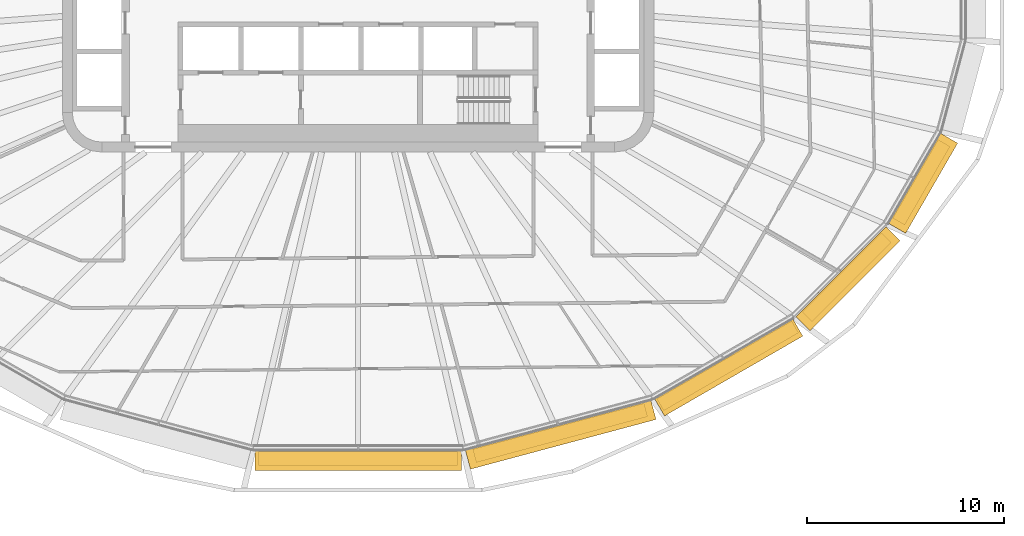
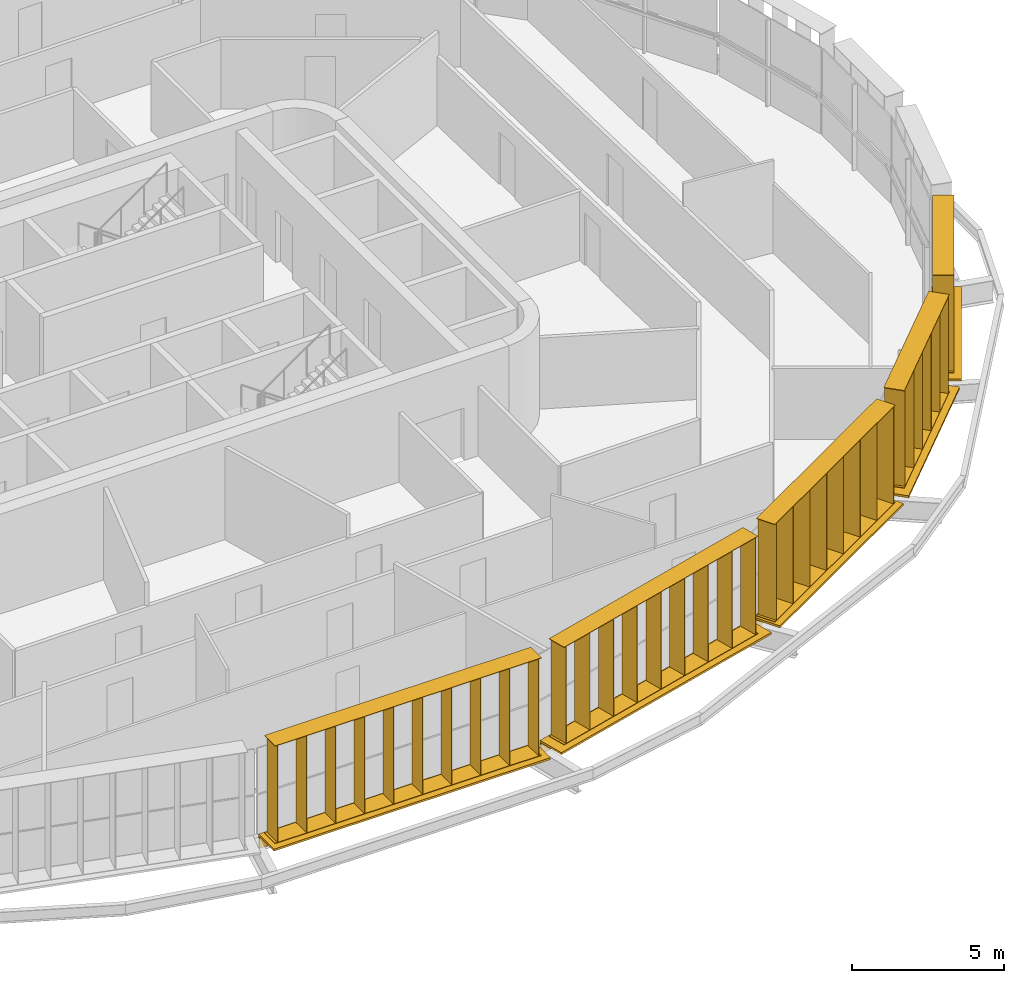
# One storey, part 19 of 21: 10 shading devices.
"""IFC4 building model written with IfcOpenShell, lengths in metres."""

from ifc_helpers import new_model, si_unit, direction, frame, origin, origin_2d, place, context, subcontext, project, spatial, rectangle, extrude, material, type_object, element, save


model = new_model("IFC4")

# Units and contexts
model_context = context("Model", 3, precision=1e-05, world=origin(), true_north=direction((0.0, 1.0)))
body_context = subcontext(model_context, "Body", "Model", "MODEL_VIEW")
ifc_project = project(units=[si_unit("LENGTHUNIT", "METRE"), si_unit("AREAUNIT", "SQUARE_METRE"), si_unit("VOLUMEUNIT", "CUBIC_METRE"), si_unit("PLANEANGLEUNIT", "RADIAN"), si_unit("MASSUNIT", "GRAM", prefix="KILO")], contexts=[model_context])

# Site, building, storey
site_placement = place(None, origin())
site = spatial("IfcSite", under=ifc_project, at=site_placement, CompositionType="ELEMENT")
building_placement = place(site_placement, origin())
building = spatial("IfcBuilding", under=site, at=building_placement, Name="Sahrelin Media Tower", CompositionType="ELEMENT")
storey_placement = place(building_placement, frame((0.0, 0.0, 193.60009765625)))
storey = spatial("IfcBuildingStorey", under=building, at=storey_placement, Name="L41", CompositionType="ELEMENT", Elevation=193.60009765625)

# Shading devices
ifc_material = material(Name="Champagne anodised aluminium 6063-T6", Category="aluminium")
shading_device_type_1 = type_object("IfcShadingDeviceType", Name="Fin cassette", PredefinedType="USERDEFINED", material=ifc_material)
placement_1 = place(storey_placement, frame((0.0, -23.12890625, 0.0), z_axis=(0.0, 0.0, 1.0), x_axis=(-1.0, 0.0, 0.0)))
element("IfcShadingDevice", 1, at=placement_1, inside=storey, type_object=shading_device_type_1, Name="L41:FIN:L41-18", ObjectType="FIN", PredefinedType="USERDEFINED", context=body_context, shape_type="SweptSolid", body=[
    extrude(rectangle(XDim=10.10009765625, YDim=0.699951171875, at=origin_2d()), frame((0.0, 0.419921875, 0.0)), (0.0, 0.0, 1.0), 0.02001953125),
    extrude(rectangle(XDim=10.10009765625, YDim=0.699951171875, at=origin_2d()), frame((0.0, 0.419921875, 3.89990234375)), (0.0, 0.0, 1.0), 0.02001953125),
    extrude(rectangle(XDim=0.02001953125, YDim=0.699951171875, at=origin_2d()), frame((-4.949951171875, 0.419921875, 0.010009765625), z_axis=(0.0, 0.0, 1.0), x_axis=(1.0, 0.0, 0.0)), (0.0, 0.0, 1.0), 3.89990234375),
    extrude(rectangle(XDim=0.02001953125, YDim=0.699951171875, at=origin_2d()), frame((-3.85009765625, 0.419921875, 0.010009765625), z_axis=(0.0, 0.0, 1.0), x_axis=(1.0, 0.0, 0.0)), (0.0, 0.0, 1.0), 3.89990234375),
    extrude(rectangle(XDim=0.02001953125, YDim=0.699951171875, at=origin_2d()), frame((-2.75, 0.419921875, 0.010009765625), z_axis=(0.0, 0.0, 1.0), x_axis=(1.0, 0.0, 0.0)), (0.0, 0.0, 1.0), 3.89990234375),
    extrude(rectangle(XDim=0.02001953125, YDim=0.699951171875, at=origin_2d()), frame((-1.64990234375, 0.419921875, 0.010009765625), z_axis=(0.0, 0.0, 1.0), x_axis=(1.0, 0.0, 0.0)), (0.0, 0.0, 1.0), 3.89990234375),
    extrude(rectangle(XDim=0.02001953125, YDim=0.699951171875, at=origin_2d()), frame((-0.550048828125, 0.419921875, 0.010009765625), z_axis=(0.0, 0.0, 1.0), x_axis=(1.0, 0.0, 0.0)), (0.0, 0.0, 1.0), 3.89990234375),
    extrude(rectangle(XDim=0.02001953125, YDim=0.699951171875, at=origin_2d()), frame((0.550048828125, 0.419921875, 0.010009765625), z_axis=(0.0, 0.0, 1.0), x_axis=(1.0, 0.0, 0.0)), (0.0, 0.0, 1.0), 3.89990234375),
    extrude(rectangle(XDim=0.02001953125, YDim=0.699951171875, at=origin_2d()), frame((1.64990234375, 0.419921875, 0.010009765625), z_axis=(0.0, 0.0, 1.0), x_axis=(1.0, 0.0, 0.0)), (0.0, 0.0, 1.0), 3.89990234375),
    extrude(rectangle(XDim=0.02001953125, YDim=0.699951171875, at=origin_2d()), frame((2.75, 0.419921875, 0.010009765625), z_axis=(0.0, 0.0, 1.0), x_axis=(1.0, 0.0, 0.0)), (0.0, 0.0, 1.0), 3.89990234375),
    extrude(rectangle(XDim=0.02001953125, YDim=0.699951171875, at=origin_2d()), frame((3.85009765625, 0.419921875, 0.010009765625), z_axis=(0.0, 0.0, 1.0), x_axis=(1.0, 0.0, 0.0)), (0.0, 0.0, 1.0), 3.89990234375),
    extrude(rectangle(XDim=0.02001953125, YDim=0.699951171875, at=origin_2d()), frame((4.949951171875, 0.419921875, 0.010009765625), z_axis=(0.0, 0.0, 1.0), x_axis=(1.0, 0.0, 0.0)), (0.0, 0.0, 1.0), 3.89990234375),
])
placement_2 = place(storey_placement, frame((10.143310546875, -21.841796875, 0.0), z_axis=(0.0, 0.0, 1.0), x_axis=(-0.965928857556, -0.258807731996, 0.0)))
element("IfcShadingDevice", 2, at=placement_2, inside=storey, type_object=shading_device_type_1, Name="L41:FIN:L41-19", ObjectType="FIN", PredefinedType="USERDEFINED", context=body_context, shape_type="SweptSolid", body=[
    extrude(rectangle(XDim=9.0, YDim=0.699951171875, at=origin_2d()), frame((0.0, 0.419921875, 0.0)), (0.0, 0.0, 1.0), 0.02001953125),
    extrude(rectangle(XDim=9.0, YDim=0.699951171875, at=origin_2d()), frame((0.0, 0.419921875, 3.89990234375)), (0.0, 0.0, 1.0), 0.02001953125),
    extrude(rectangle(XDim=0.02001953125, YDim=0.699951171875, at=origin_2d()), frame((-4.39990234375, 0.419921875, 0.010009765625), z_axis=(0.0, 0.0, 1.0), x_axis=(1.0, 0.0, 0.0)), (0.0, 0.0, 1.0), 3.89990234375),
    extrude(rectangle(XDim=0.02001953125, YDim=0.699951171875, at=origin_2d()), frame((-3.300048828125, 0.419921875, 0.010009765625), z_axis=(0.0, 0.0, 1.0), x_axis=(1.0, 0.0, 0.0)), (0.0, 0.0, 1.0), 3.89990234375),
    extrude(rectangle(XDim=0.02001953125, YDim=0.699951171875, at=origin_2d()), frame((-2.199951171875, 0.419921875, 0.010009765625), z_axis=(0.0, 0.0, 1.0), x_axis=(1.0, 0.0, 0.0)), (0.0, 0.0, 1.0), 3.89990234375),
    extrude(rectangle(XDim=0.02001953125, YDim=0.699951171875, at=origin_2d()), frame((-1.10009765625, 0.419921875, 0.010009765625), z_axis=(0.0, 0.0, 1.0), x_axis=(1.0, 0.0, 0.0)), (0.0, 0.0, 1.0), 3.89990234375),
    extrude(rectangle(XDim=0.02001953125, YDim=0.699951171875, at=origin_2d()), frame((0.0, 0.419921875, 0.010009765625), z_axis=(0.0, 0.0, 1.0), x_axis=(1.0, 0.0, 0.0)), (0.0, 0.0, 1.0), 3.89990234375),
    extrude(rectangle(XDim=0.02001953125, YDim=0.699951171875, at=origin_2d()), frame((1.10009765625, 0.419921875, 0.010009765625), z_axis=(0.0, 0.0, 1.0), x_axis=(1.0, 0.0, 0.0)), (0.0, 0.0, 1.0), 3.89990234375),
    extrude(rectangle(XDim=0.02001953125, YDim=0.699951171875, at=origin_2d()), frame((2.199951171875, 0.419921875, 0.010009765625), z_axis=(0.0, 0.0, 1.0), x_axis=(1.0, 0.0, 0.0)), (0.0, 0.0, 1.0), 3.89990234375),
    extrude(rectangle(XDim=0.02001953125, YDim=0.699951171875, at=origin_2d()), frame((3.300048828125, 0.419921875, 0.010009765625), z_axis=(0.0, 0.0, 1.0), x_axis=(1.0, 0.0, 0.0)), (0.0, 0.0, 1.0), 3.89990234375),
    extrude(rectangle(XDim=0.02001953125, YDim=0.699951171875, at=origin_2d()), frame((4.39990234375, 0.419921875, 0.010009765625), z_axis=(0.0, 0.0, 1.0), x_axis=(1.0, 0.0, 0.0)), (0.0, 0.0, 1.0), 3.89990234375),
])
placement_3 = place(storey_placement, frame((18.540283203125, -18.479736328125, 0.0), z_axis=(0.0, 0.0, 1.0), x_axis=(-0.866019052629, -0.500011000363, 0.0)))
element("IfcShadingDevice", 3, at=placement_3, inside=storey, type_object=shading_device_type_1, Name="L41:FIN:L41-20", ObjectType="FIN", PredefinedType="USERDEFINED", context=body_context, shape_type="SweptSolid", body=[
    extrude(rectangle(XDim=7.89990234375, YDim=0.699951171875, at=origin_2d()), frame((0.0, 0.419921875, 0.0)), (0.0, 0.0, 1.0), 0.02001953125),
    extrude(rectangle(XDim=7.89990234375, YDim=0.699951171875, at=origin_2d()), frame((0.0, 0.419921875, 3.89990234375)), (0.0, 0.0, 1.0), 0.02001953125),
    extrude(rectangle(XDim=0.02001953125, YDim=0.699951171875, at=origin_2d()), frame((-3.85009765625, 0.419921875, 0.010009765625), z_axis=(0.0, 0.0, 1.0), x_axis=(1.0, 0.0, 0.0)), (0.0, 0.0, 1.0), 3.89990234375),
    extrude(rectangle(XDim=0.02001953125, YDim=0.699951171875, at=origin_2d()), frame((-2.75, 0.419921875, 0.010009765625), z_axis=(0.0, 0.0, 1.0), x_axis=(1.0, 0.0, 0.0)), (0.0, 0.0, 1.0), 3.89990234375),
    extrude(rectangle(XDim=0.02001953125, YDim=0.699951171875, at=origin_2d()), frame((-1.64990234375, 0.419921875, 0.010009765625), z_axis=(0.0, 0.0, 1.0), x_axis=(1.0, 0.0, 0.0)), (0.0, 0.0, 1.0), 3.89990234375),
    extrude(rectangle(XDim=0.02001953125, YDim=0.699951171875, at=origin_2d()), frame((-0.550048828125, 0.419921875, 0.010009765625), z_axis=(0.0, 0.0, 1.0), x_axis=(1.0, 0.0, 0.0)), (0.0, 0.0, 1.0), 3.89990234375),
    extrude(rectangle(XDim=0.02001953125, YDim=0.699951171875, at=origin_2d()), frame((0.550048828125, 0.419921875, 0.010009765625), z_axis=(0.0, 0.0, 1.0), x_axis=(1.0, 0.0, 0.0)), (0.0, 0.0, 1.0), 3.89990234375),
    extrude(rectangle(XDim=0.02001953125, YDim=0.699951171875, at=origin_2d()), frame((1.64990234375, 0.419921875, 0.010009765625), z_axis=(0.0, 0.0, 1.0), x_axis=(1.0, 0.0, 0.0)), (0.0, 0.0, 1.0), 3.89990234375),
    extrude(rectangle(XDim=0.02001953125, YDim=0.699951171875, at=origin_2d()), frame((2.75, 0.419921875, 0.010009765625), z_axis=(0.0, 0.0, 1.0), x_axis=(1.0, 0.0, 0.0)), (0.0, 0.0, 1.0), 3.89990234375),
    extrude(rectangle(XDim=0.02001953125, YDim=0.699951171875, at=origin_2d()), frame((3.85009765625, 0.419921875, 0.010009765625), z_axis=(0.0, 0.0, 1.0), x_axis=(1.0, 0.0, 0.0)), (0.0, 0.0, 1.0), 3.89990234375),
])
placement_4 = place(storey_placement, frame((24.48779296875, -14.05126953125, 0.0), z_axis=(0.0, 0.0, 1.0), x_axis=(-0.707106781187, -0.707106781187, 0.0)))
element("IfcShadingDevice", 4, at=placement_4, inside=storey, type_object=shading_device_type_1, Name="L41:FIN:L41-21", ObjectType="FIN", PredefinedType="USERDEFINED", context=body_context, shape_type="SweptSolid", body=[
    extrude(rectangle(XDim=5.699951171875, YDim=0.699951171875, at=origin_2d()), frame((0.0, 0.419921875, 0.0)), (0.0, 0.0, 1.0), 0.02001953125),
    extrude(rectangle(XDim=5.699951171875, YDim=0.699951171875, at=origin_2d()), frame((0.0, 0.419921875, 3.89990234375)), (0.0, 0.0, 1.0), 0.02001953125),
    extrude(rectangle(XDim=0.02001953125, YDim=0.699951171875, at=origin_2d()), frame((-2.75, 0.419921875, 0.010009765625), z_axis=(0.0, 0.0, 1.0), x_axis=(1.0, 0.0, 0.0)), (0.0, 0.0, 1.0), 3.89990234375),
    extrude(rectangle(XDim=0.02001953125, YDim=0.699951171875, at=origin_2d()), frame((-1.64990234375, 0.419921875, 0.010009765625), z_axis=(0.0, 0.0, 1.0), x_axis=(1.0, 0.0, 0.0)), (0.0, 0.0, 1.0), 3.89990234375),
    extrude(rectangle(XDim=0.02001953125, YDim=0.699951171875, at=origin_2d()), frame((-0.550048828125, 0.419921875, 0.010009765625), z_axis=(0.0, 0.0, 1.0), x_axis=(1.0, 0.0, 0.0)), (0.0, 0.0, 1.0), 3.89990234375),
    extrude(rectangle(XDim=0.02001953125, YDim=0.699951171875, at=origin_2d()), frame((0.550048828125, 0.419921875, 0.010009765625), z_axis=(0.0, 0.0, 1.0), x_axis=(1.0, 0.0, 0.0)), (0.0, 0.0, 1.0), 3.89990234375),
    extrude(rectangle(XDim=0.02001953125, YDim=0.699951171875, at=origin_2d()), frame((1.64990234375, 0.419921875, 0.010009765625), z_axis=(0.0, 0.0, 1.0), x_axis=(1.0, 0.0, 0.0)), (0.0, 0.0, 1.0), 3.89990234375),
    extrude(rectangle(XDim=0.02001953125, YDim=0.699951171875, at=origin_2d()), frame((2.75, 0.419921875, 0.010009765625), z_axis=(0.0, 0.0, 1.0), x_axis=(1.0, 0.0, 0.0)), (0.0, 0.0, 1.0), 3.89990234375),
])
placement_5 = place(storey_placement, frame((28.211181640625, -9.324951171875, 0.0), z_axis=(0.0, 0.0, 1.0), x_axis=(-0.500011000363, -0.866019052629, 0.0)))
element("IfcShadingDevice", 5, at=placement_5, inside=storey, type_object=shading_device_type_1, Name="L41:FIN:L41-22", ObjectType="FIN", PredefinedType="USERDEFINED", context=body_context, shape_type="SweptSolid", body=[
    extrude(rectangle(XDim=4.60009765625, YDim=0.699951171875, at=origin_2d()), frame((0.0, 0.419921875, 0.0)), (0.0, 0.0, 1.0), 0.02001953125),
    extrude(rectangle(XDim=4.60009765625, YDim=0.699951171875, at=origin_2d()), frame((0.0, 0.419921875, 3.89990234375)), (0.0, 0.0, 1.0), 0.02001953125),
    extrude(rectangle(XDim=0.02001953125, YDim=0.699951171875, at=origin_2d()), frame((-2.199951171875, 0.419921875, 0.010009765625), z_axis=(0.0, 0.0, 1.0), x_axis=(1.0, 0.0, 0.0)), (0.0, 0.0, 1.0), 3.89990234375),
    extrude(rectangle(XDim=0.02001953125, YDim=0.699951171875, at=origin_2d()), frame((-1.10009765625, 0.419921875, 0.010009765625), z_axis=(0.0, 0.0, 1.0), x_axis=(1.0, 0.0, 0.0)), (0.0, 0.0, 1.0), 3.89990234375),
    extrude(rectangle(XDim=0.02001953125, YDim=0.699951171875, at=origin_2d()), frame((0.0, 0.419921875, 0.010009765625), z_axis=(0.0, 0.0, 1.0), x_axis=(1.0, 0.0, 0.0)), (0.0, 0.0, 1.0), 3.89990234375),
    extrude(rectangle(XDim=0.02001953125, YDim=0.699951171875, at=origin_2d()), frame((1.10009765625, 0.419921875, 0.010009765625), z_axis=(0.0, 0.0, 1.0), x_axis=(1.0, 0.0, 0.0)), (0.0, 0.0, 1.0), 3.89990234375),
    extrude(rectangle(XDim=0.02001953125, YDim=0.699951171875, at=origin_2d()), frame((2.199951171875, 0.419921875, 0.010009765625), z_axis=(0.0, 0.0, 1.0), x_axis=(1.0, 0.0, 0.0)), (0.0, 0.0, 1.0), 3.89990234375),
])
shading_device_type_2 = type_object("IfcShadingDeviceType", Name="Sunshade band", PredefinedType="USERDEFINED", material=ifc_material)
element("IfcShadingDevice", 6, at=placement_1, inside=storey, type_object=shading_device_type_2, Name="L41:SUN:L41-18", ObjectType="SUNSHADE", PredefinedType="USERDEFINED", context=body_context, shape_type="SweptSolid", body=[
    extrude(rectangle(XDim=10.479248046875, YDim=0.050048828125, at=origin_2d()), frame((0.0, 0.044921875, -0.55126953125)), (0.0, 0.0, 1.0), 0.471435546875),
    extrude(rectangle(XDim=10.479248046875, YDim=1.0, at=origin_2d()), frame((0.0, 0.52001953125, -0.080078125)), (0.0, 0.0, 1.0), 0.080078125),
    extrude(rectangle(XDim=0.10009765625, YDim=0.074951171875, at=origin_2d()), frame((-5.1396484375, -0.017578125, -0.47021484375)), (0.0, 0.0, 1.0), 0.300048828125),
    extrude(rectangle(XDim=0.10009765625, YDim=0.074951171875, at=origin_2d()), frame((-3.426513671875, -0.017578125, -0.47021484375)), (0.0, 0.0, 1.0), 0.300048828125),
    extrude(rectangle(XDim=0.10009765625, YDim=0.074951171875, at=origin_2d()), frame((-1.713134765625, -0.017578125, -0.47021484375)), (0.0, 0.0, 1.0), 0.300048828125),
    extrude(rectangle(XDim=0.10009765625, YDim=0.074951171875, at=origin_2d()), frame((0.0, -0.017578125, -0.47021484375)), (0.0, 0.0, 1.0), 0.300048828125),
    extrude(rectangle(XDim=0.10009765625, YDim=0.074951171875, at=origin_2d()), frame((1.713134765625, -0.017578125, -0.47021484375)), (0.0, 0.0, 1.0), 0.300048828125),
    extrude(rectangle(XDim=0.10009765625, YDim=0.074951171875, at=origin_2d()), frame((3.426513671875, -0.017578125, -0.47021484375)), (0.0, 0.0, 1.0), 0.300048828125),
    extrude(rectangle(XDim=0.10009765625, YDim=0.074951171875, at=origin_2d()), frame((5.1396484375, -0.017578125, -0.47021484375)), (0.0, 0.0, 1.0), 0.300048828125),
])
element("IfcShadingDevice", 7, at=placement_2, inside=storey, type_object=shading_device_type_2, Name="L41:SUN:L41-19", ObjectType="SUNSHADE", PredefinedType="USERDEFINED", context=body_context, shape_type="SweptSolid", body=[
    extrude(rectangle(XDim=9.74609375, YDim=0.050048828125, at=origin_2d()), frame((0.0, 0.044921875, -0.55126953125)), (0.0, 0.0, 1.0), 0.471435546875),
    extrude(rectangle(XDim=9.74609375, YDim=1.0, at=origin_2d()), frame((0.0, 0.52001953125, -0.080078125)), (0.0, 0.0, 1.0), 0.080078125),
    extrude(rectangle(XDim=0.10009765625, YDim=0.074951171875, at=origin_2d()), frame((-4.773193359375, -0.017578125, -0.47021484375)), (0.0, 0.0, 1.0), 0.300048828125),
    extrude(rectangle(XDim=0.10009765625, YDim=0.074951171875, at=origin_2d()), frame((-2.864013671875, -0.017578125, -0.47021484375)), (0.0, 0.0, 1.0), 0.300048828125),
    extrude(rectangle(XDim=0.10009765625, YDim=0.074951171875, at=origin_2d()), frame((-0.95458984375, -0.017578125, -0.47021484375)), (0.0, 0.0, 1.0), 0.300048828125),
    extrude(rectangle(XDim=0.10009765625, YDim=0.074951171875, at=origin_2d()), frame((0.95458984375, -0.017578125, -0.47021484375)), (0.0, 0.0, 1.0), 0.300048828125),
    extrude(rectangle(XDim=0.10009765625, YDim=0.074951171875, at=origin_2d()), frame((2.864013671875, -0.017578125, -0.47021484375)), (0.0, 0.0, 1.0), 0.300048828125),
    extrude(rectangle(XDim=0.10009765625, YDim=0.074951171875, at=origin_2d()), frame((4.773193359375, -0.017578125, -0.47021484375)), (0.0, 0.0, 1.0), 0.300048828125),
])
element("IfcShadingDevice", 8, at=placement_3, inside=storey, type_object=shading_device_type_2, Name="L41:SUN:L41-20", ObjectType="SUNSHADE", PredefinedType="USERDEFINED", context=body_context, shape_type="SweptSolid", body=[
    extrude(rectangle(XDim=8.09912109375, YDim=0.050048828125, at=origin_2d()), frame((0.0, 0.044921875, -0.55126953125)), (0.0, 0.0, 1.0), 0.471435546875),
    extrude(rectangle(XDim=8.09912109375, YDim=1.0, at=origin_2d()), frame((0.0, 0.52001953125, -0.080078125)), (0.0, 0.0, 1.0), 0.080078125),
    extrude(rectangle(XDim=0.10009765625, YDim=0.074951171875, at=origin_2d()), frame((-3.949462890625, -0.017578125, -0.47021484375)), (0.0, 0.0, 1.0), 0.300048828125),
    extrude(rectangle(XDim=0.10009765625, YDim=0.074951171875, at=origin_2d()), frame((-2.36962890625, -0.017578125, -0.47021484375)), (0.0, 0.0, 1.0), 0.300048828125),
    extrude(rectangle(XDim=0.10009765625, YDim=0.074951171875, at=origin_2d()), frame((-0.789794921875, -0.017578125, -0.47021484375)), (0.0, 0.0, 1.0), 0.300048828125),
    extrude(rectangle(XDim=0.10009765625, YDim=0.074951171875, at=origin_2d()), frame((0.789794921875, -0.017578125, -0.47021484375)), (0.0, 0.0, 1.0), 0.300048828125),
    extrude(rectangle(XDim=0.10009765625, YDim=0.074951171875, at=origin_2d()), frame((2.36962890625, -0.017578125, -0.47021484375)), (0.0, 0.0, 1.0), 0.300048828125),
    extrude(rectangle(XDim=0.10009765625, YDim=0.074951171875, at=origin_2d()), frame((3.949462890625, -0.017578125, -0.47021484375)), (0.0, 0.0, 1.0), 0.300048828125),
])
element("IfcShadingDevice", 9, at=placement_4, inside=storey, type_object=shading_device_type_2, Name="L41:SUN:L41-21", ObjectType="SUNSHADE", PredefinedType="USERDEFINED", context=body_context, shape_type="SweptSolid", body=[
    extrude(rectangle(XDim=6.45751953125, YDim=0.050048828125, at=origin_2d()), frame((0.0, 0.044921875, -0.55126953125)), (0.0, 0.0, 1.0), 0.471435546875),
    extrude(rectangle(XDim=6.45751953125, YDim=1.0, at=origin_2d()), frame((0.0, 0.52001953125, -0.080078125)), (0.0, 0.0, 1.0), 0.080078125),
    extrude(rectangle(XDim=0.10009765625, YDim=0.074951171875, at=origin_2d()), frame((-3.12890625, -0.017578125, -0.47021484375)), (0.0, 0.0, 1.0), 0.300048828125),
    extrude(rectangle(XDim=0.10009765625, YDim=0.074951171875, at=origin_2d()), frame((-1.564453125, -0.017578125, -0.47021484375)), (0.0, 0.0, 1.0), 0.300048828125),
    extrude(rectangle(XDim=0.10009765625, YDim=0.074951171875, at=origin_2d()), frame((0.0, -0.017578125, -0.47021484375)), (0.0, 0.0, 1.0), 0.300048828125),
    extrude(rectangle(XDim=0.10009765625, YDim=0.074951171875, at=origin_2d()), frame((1.564453125, -0.017578125, -0.47021484375)), (0.0, 0.0, 1.0), 0.300048828125),
    extrude(rectangle(XDim=0.10009765625, YDim=0.074951171875, at=origin_2d()), frame((3.12890625, -0.017578125, -0.47021484375)), (0.0, 0.0, 1.0), 0.300048828125),
])
element("IfcShadingDevice", 10, at=placement_5, inside=storey, type_object=shading_device_type_2, Name="L41:SUN:L41-22", ObjectType="SUNSHADE", PredefinedType="USERDEFINED", context=body_context, shape_type="SweptSolid", body=[
    extrude(rectangle(XDim=5.279052734375, YDim=0.050048828125, at=origin_2d()), frame((0.0, 0.044921875, -0.55126953125)), (0.0, 0.0, 1.0), 0.471435546875),
    extrude(rectangle(XDim=5.279052734375, YDim=1.0, at=origin_2d()), frame((0.0, 0.52001953125, -0.080078125)), (0.0, 0.0, 1.0), 0.080078125),
    extrude(rectangle(XDim=0.10009765625, YDim=0.074951171875, at=origin_2d()), frame((-2.53955078125, -0.017578125, -0.47021484375)), (0.0, 0.0, 1.0), 0.300048828125),
    extrude(rectangle(XDim=0.10009765625, YDim=0.074951171875, at=origin_2d()), frame((-0.846435546875, -0.017578125, -0.47021484375)), (0.0, 0.0, 1.0), 0.300048828125),
    extrude(rectangle(XDim=0.10009765625, YDim=0.074951171875, at=origin_2d()), frame((0.846435546875, -0.017578125, -0.47021484375)), (0.0, 0.0, 1.0), 0.300048828125),
    extrude(rectangle(XDim=0.10009765625, YDim=0.074951171875, at=origin_2d()), frame((2.53955078125, -0.017578125, -0.47021484375)), (0.0, 0.0, 1.0), 0.300048828125),
])

save(model, "model.ifc")
